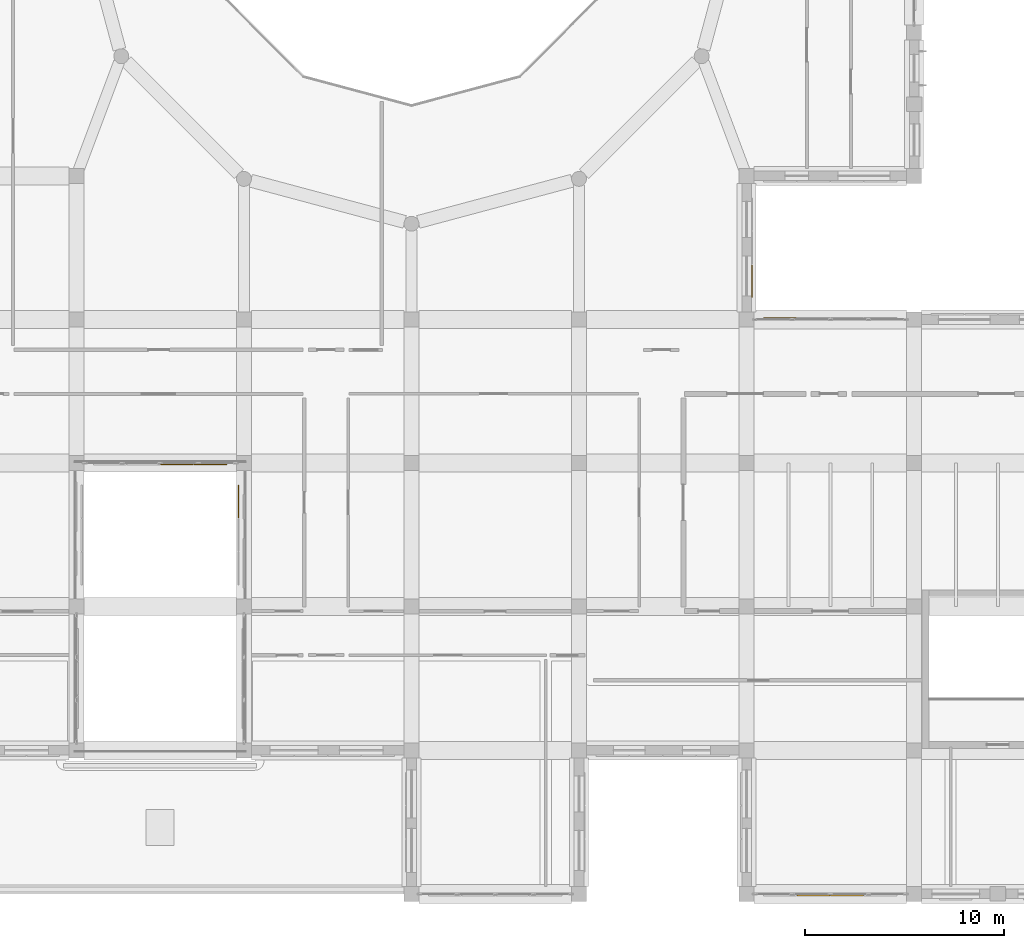
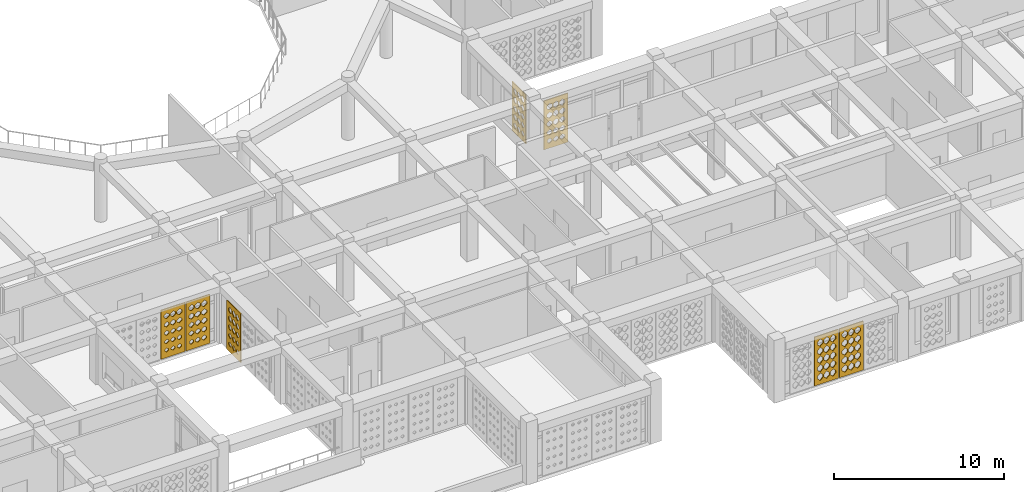
# One storey, part 86 of 111: 7 coverings.
"""IFC4 building model written with IfcOpenShell, lengths in metres."""

from ifc_helpers import new_model, si_unit, derived_unit, direction, frame, origin, place, context, subcontext, project, spatial, polyline, outline, extrude, material, layer, layer_set, type_object, element, save


model = new_model("IFC4")

# Units and contexts
model_context = context("Model", 3, precision=1e-05, world=origin(), true_north=direction((0.0, 1.0)))
body_context = subcontext(model_context, "Body", "Model", "MODEL_VIEW")
ifc_project = project(units=[si_unit("LENGTHUNIT", "METRE"), si_unit("AREAUNIT", "SQUARE_METRE"), si_unit("VOLUMEUNIT", "CUBIC_METRE"), si_unit("PLANEANGLEUNIT", "RADIAN"), si_unit("MASSUNIT", "GRAM", prefix="KILO"), derived_unit("THERMALTRANSMITTANCEUNIT", [(si_unit("POWERUNIT", "WATT"), 1), (si_unit("LENGTHUNIT", "METRE"), -2), (si_unit("THERMODYNAMICTEMPERATUREUNIT", "KELVIN"), -1)])], contexts=[model_context])

# Site, building, storey
site_placement = place(None, origin())
site = spatial("IfcSite", under=ifc_project, at=site_placement, CompositionType="ELEMENT")
building_placement = place(site_placement, origin())
building = spatial("IfcBuilding", under=site, at=building_placement, Name="Veybourne Emporium", CompositionType="ELEMENT")
storey_placement = place(building_placement, frame((0.0, 0.0, 9.89990234375)))
storey = spatial("IfcBuildingStorey", under=building, at=storey_placement, Name="L02", CompositionType="ELEMENT", Elevation=9.89990234375)

# Coverings
ifc_material = material(Name="Warm-White Perforated Aluminium Screen Alloy", Category="aluminium")
ifc_layer_1 = layer(ifc_material, 0.06005859375)
ifc_layer_set_1 = layer_set([ifc_layer_1], Name="Warm-White Perforated Aluminium Screen Alloy")
covering_type_1 = type_object("IfcCoveringType", Name="WaveScreen_SCR-01", PredefinedType="CLADDING", material=ifc_layer_set_1)
covering_1_placement = place(storey_placement, frame((65.52001953125, 21.5029296875, 1.815185546875), z_axis=(0.0, 1.0, 0.0), x_axis=(-1.0, 0.0, 0.0)))
element("IfcCovering", 1, at=covering_1_placement, inside=storey, type_object=covering_type_1, Name="L02 wave-perforated aluminium screen SCR-01 (33C.1)", PredefinedType="CLADDING", context=body_context, shape_type="SweptSolid", body=[
    extrude(outline(polyline([(-0.81982421875, -1.7548828125), (0.81982421875, -1.7548828125), (0.81982421875, 1.7548828125), (-0.81982421875, 1.7548828125), (-0.81982421875, -1.7548828125)]), holes=[polyline([(-0.433349609375, -1.049072265625), (-0.277099609375, -1.16357421875), (-0.277099609375, -1.29248046875), (-0.433349609375, -1.406982421875), (-0.589599609375, -1.29248046875), (-0.589599609375, -1.16357421875), (-0.433349609375, -1.049072265625)]), polyline([(-0.433349609375, -0.4208984375), (-0.265380859375, -0.54443359375), (-0.265380859375, -0.68359375), (-0.433349609375, -0.806884765625), (-0.601318359375, -0.68359375), (-0.601318359375, -0.54443359375), (-0.433349609375, -0.4208984375)]), polyline([(-0.433349609375, 0.20703125), (-0.25390625, 0.07470703125), (-0.25390625, -0.07470703125), (-0.433349609375, -0.20703125), (-0.61279296875, -0.07470703125), (-0.61279296875, 0.07470703125), (-0.433349609375, 0.20703125)]), polyline([(-0.433349609375, 0.834716796875), (-0.2470703125, 0.693603515625), (-0.2470703125, 0.534423828125), (-0.433349609375, 0.393310546875), (-0.61962890625, 0.534423828125), (-0.61962890625, 0.693603515625), (-0.433349609375, 0.834716796875)]), polyline([(-0.433349609375, 1.461669921875), (-0.2470703125, 1.31201171875), (-0.2470703125, 1.143798828125), (-0.433349609375, 0.994384765625), (-0.61962890625, 1.143798828125), (-0.61962890625, 1.31201171875), (-0.433349609375, 1.461669921875)]), polyline([(0.0, -1.055419921875), (0.151123046875, -1.166015625), (0.151123046875, -1.2900390625), (0.0, -1.400634765625), (-0.151123046875, -1.2900390625), (-0.151123046875, -1.166015625), (0.0, -1.055419921875)]), polyline([(0.0, -0.427490234375), (0.16259765625, -0.546875), (0.16259765625, -0.68115234375), (0.0, -0.800537109375), (-0.16259765625, -0.68115234375), (-0.16259765625, -0.546875), (0.0, -0.427490234375)]), polyline([(0.0, 0.20068359375), (0.17431640625, 0.072265625), (0.17431640625, -0.072265625), (0.0, -0.20068359375), (-0.17431640625, -0.072265625), (-0.17431640625, 0.072265625), (0.0, 0.20068359375)]), polyline([(0.0, 0.82861328125), (0.185546875, 0.69140625), (0.185546875, 0.53662109375), (0.0, 0.3994140625), (-0.185546875, 0.53662109375), (-0.185546875, 0.69140625), (0.0, 0.82861328125)]), polyline([(0.0, 1.455810546875), (0.186279296875, 1.31005859375), (0.186279296875, 1.14599609375), (0.0, 1.0), (-0.186279296875, 1.14599609375), (-0.186279296875, 1.31005859375), (0.0, 1.455810546875)]), polyline([(0.433349609375, -1.0615234375), (0.57958984375, -1.168212890625), (0.57958984375, -1.287841796875), (0.433349609375, -1.394287109375), (0.287109375, -1.287841796875), (0.287109375, -1.168212890625), (0.433349609375, -1.0615234375)]), polyline([(0.433349609375, -0.433837890625), (0.5908203125, -0.549072265625), (0.5908203125, -0.678955078125), (0.433349609375, -0.794189453125), (0.27587890625, -0.678955078125), (0.27587890625, -0.549072265625), (0.433349609375, -0.433837890625)]), polyline([(0.433349609375, 0.1943359375), (0.602294921875, 0.070068359375), (0.602294921875, -0.070068359375), (0.433349609375, -0.1943359375), (0.264404296875, -0.070068359375), (0.264404296875, 0.070068359375), (0.433349609375, 0.1943359375)]), polyline([(0.433349609375, 0.822509765625), (0.614013671875, 0.68896484375), (0.614013671875, 0.5390625), (0.433349609375, 0.405517578125), (0.252685546875, 0.5390625), (0.252685546875, 0.68896484375), (0.433349609375, 0.822509765625)]), polyline([(0.433349609375, 1.449951171875), (0.61962890625, 1.307861328125), (0.61962890625, 1.148193359375), (0.433349609375, 1.006103515625), (0.2470703125, 1.148193359375), (0.2470703125, 1.307861328125), (0.433349609375, 1.449951171875)])]), origin(), (0.0, 0.0, 1.0), 0.06005859375),
])
ifc_layer_2 = layer(ifc_material, 0.06005859375)
ifc_layer_set_2 = layer_set([ifc_layer_2], Name="Warm-White Perforated Aluminium Screen Alloy")
covering_type_2 = type_object("IfcCoveringType", Name="WaveScreen_SCR-02", PredefinedType="CLADDING", material=ifc_layer_set_2)
covering_2_placement = place(storey_placement, frame((63.840087890625, 21.5029296875, 1.815185546875), z_axis=(0.0, 1.0, 0.0), x_axis=(-1.0, 0.0, 0.0)))
element("IfcCovering", 2, at=covering_2_placement, inside=storey, type_object=covering_type_2, Name="L02 wave-perforated aluminium screen SCR-02 (33C.2)", PredefinedType="CLADDING", context=body_context, shape_type="SweptSolid", body=[
    extrude(outline(polyline([(-0.81982421875, -1.7548828125), (0.81982421875, -1.7548828125), (0.81982421875, 1.7548828125), (-0.81982421875, 1.7548828125), (-0.81982421875, -1.7548828125)]), holes=[polyline([(-0.433349609375, -1.07275390625), (-0.29638671875, -1.172119140625), (-0.29638671875, -1.283935546875), (-0.433349609375, -1.38330078125), (-0.5703125, -1.283935546875), (-0.5703125, -1.172119140625), (-0.433349609375, -1.07275390625)]), polyline([(-0.433349609375, -0.445556640625), (-0.285400390625, -0.553466796875), (-0.285400390625, -0.674560546875), (-0.433349609375, -0.782470703125), (-0.5810546875, -0.674560546875), (-0.5810546875, -0.553466796875), (-0.433349609375, -0.445556640625)]), polyline([(-0.433349609375, 0.182373046875), (-0.274169921875, 0.065673828125), (-0.274169921875, -0.065673828125), (-0.433349609375, -0.182373046875), (-0.592529296875, -0.065673828125), (-0.592529296875, 0.065673828125), (-0.433349609375, 0.182373046875)]), polyline([(-0.433349609375, 0.810302734375), (-0.2626953125, 0.684814453125), (-0.2626953125, 0.543212890625), (-0.433349609375, 0.41748046875), (-0.60400390625, 0.543212890625), (-0.60400390625, 0.684814453125), (-0.433349609375, 0.810302734375)]), polyline([(-0.433349609375, 1.4384765625), (-0.251220703125, 1.3037109375), (-0.251220703125, 1.152099609375), (-0.433349609375, 1.017578125), (-0.615478515625, 1.152099609375), (-0.615478515625, 1.3037109375), (-0.433349609375, 1.4384765625)]), polyline([(0.0, -1.078369140625), (0.13232421875, -1.174072265625), (0.13232421875, -1.281982421875), (0.0, -1.377685546875), (-0.13232421875, -1.281982421875), (-0.13232421875, -1.174072265625), (0.0, -1.078369140625)]), polyline([(0.0, -0.45166015625), (0.142822265625, -0.5556640625), (0.142822265625, -0.67236328125), (0.0, -0.7763671875), (-0.142822265625, -0.67236328125), (-0.142822265625, -0.5556640625), (0.0, -0.45166015625)]), polyline([(0.0, 0.17578125), (0.15380859375, 0.063232421875), (0.15380859375, -0.063232421875), (0.0, -0.17578125), (-0.15380859375, -0.063232421875), (-0.15380859375, 0.063232421875), (0.0, 0.17578125)]), polyline([(0.0, 0.803955078125), (0.16552734375, 0.682373046875), (0.16552734375, 0.545654296875), (0.0, 0.424072265625), (-0.16552734375, 0.545654296875), (-0.16552734375, 0.682373046875), (0.0, 0.803955078125)]), polyline([(0.0, 1.43212890625), (0.177001953125, 1.301513671875), (0.177001953125, 1.154541015625), (0.0, 1.02392578125), (-0.177001953125, 1.154541015625), (-0.177001953125, 1.301513671875), (0.0, 1.43212890625)]), polyline([(0.433349609375, -1.083740234375), (0.561279296875, -1.176025390625), (0.561279296875, -1.27978515625), (0.433349609375, -1.372314453125), (0.305419921875, -1.27978515625), (0.305419921875, -1.176025390625), (0.433349609375, -1.083740234375)]), polyline([(0.433349609375, -0.45751953125), (0.5712890625, -0.5576171875), (0.5712890625, -0.67041015625), (0.433349609375, -0.7705078125), (0.29541015625, -0.67041015625), (0.29541015625, -0.5576171875), (0.433349609375, -0.45751953125)]), polyline([(0.433349609375, 0.169677734375), (0.582275390625, 0.06103515625), (0.582275390625, -0.06103515625), (0.433349609375, -0.169677734375), (0.284423828125, -0.06103515625), (0.284423828125, 0.06103515625), (0.433349609375, 0.169677734375)]), polyline([(0.433349609375, 0.797607421875), (0.593505859375, 0.68017578125), (0.593505859375, 0.5478515625), (0.433349609375, 0.430419921875), (0.273193359375, 0.5478515625), (0.273193359375, 0.68017578125), (0.433349609375, 0.797607421875)]), polyline([(0.433349609375, 1.42578125), (0.60498046875, 1.29931640625), (0.60498046875, 1.15673828125), (0.433349609375, 1.0302734375), (0.261474609375, 1.15673828125), (0.261474609375, 1.29931640625), (0.433349609375, 1.42578125)])]), origin(), (0.0, 0.0, 1.0), 0.06005859375),
])
covering_3_placement = place(storey_placement, frame((92.697998046875, 30.719970703125, 1.815185546875), z_axis=(-1.0, 0.0, 0.0), x_axis=(0.0, -1.0, 0.0)))
element("IfcCovering", 3, at=covering_3_placement, inside=storey, type_object=covering_type_2, Name="L02 wave-perforated aluminium screen SCR-02 (44.3)", PredefinedType="CLADDING", context=body_context, shape_type="SweptSolid", body=[
    extrude(outline(polyline([(-0.81982421875, -1.7548828125), (0.81982421875, -1.7548828125), (0.81982421875, 1.7548828125), (-0.81982421875, 1.7548828125), (-0.81982421875, -1.7548828125)]), holes=[polyline([(-0.433349609375, -1.028076171875), (-0.259765625, -1.156005859375), (-0.259765625, -1.300048828125), (-0.433349609375, -1.427978515625), (-0.60693359375, -1.300048828125), (-0.60693359375, -1.156005859375), (-0.433349609375, -1.028076171875)]), polyline([(-0.433349609375, -0.39990234375), (-0.248291015625, -0.537109375), (-0.248291015625, -0.69091796875), (-0.433349609375, -0.827880859375), (-0.618408203125, -0.69091796875), (-0.618408203125, -0.537109375), (-0.433349609375, -0.39990234375)]), polyline([(-0.433349609375, 0.227294921875), (-0.2470703125, 0.081787109375), (-0.2470703125, -0.081787109375), (-0.433349609375, -0.227294921875), (-0.61962890625, -0.081787109375), (-0.61962890625, 0.081787109375), (-0.433349609375, 0.227294921875)]), polyline([(-0.433349609375, 0.853515625), (-0.2470703125, 0.7001953125), (-0.2470703125, 0.52783203125), (-0.433349609375, 0.37451171875), (-0.61962890625, 0.52783203125), (-0.61962890625, 0.7001953125), (-0.433349609375, 0.853515625)]), polyline([(-0.433349609375, 1.478515625), (-0.2470703125, 1.318115234375), (-0.2470703125, 1.1376953125), (-0.433349609375, 0.9775390625), (-0.61962890625, 1.1376953125), (-0.61962890625, 1.318115234375), (-0.433349609375, 1.478515625)]), polyline([(0.0, -1.034423828125), (0.16845703125, -1.158203125), (0.16845703125, -1.297607421875), (0.0, -1.421630859375), (-0.16845703125, -1.297607421875), (-0.16845703125, -1.158203125), (0.0, -1.034423828125)]), polyline([(0.0, -0.40625), (0.179931640625, -0.539306640625), (0.179931640625, -0.688720703125), (0.0, -0.82177734375), (-0.179931640625, -0.688720703125), (-0.179931640625, -0.539306640625), (0.0, -0.40625)]), polyline([(0.0, 0.221435546875), (0.186279296875, 0.07958984375), (0.186279296875, -0.07958984375), (0.0, -0.221435546875), (-0.186279296875, -0.07958984375), (-0.186279296875, 0.07958984375), (0.0, 0.221435546875)]), polyline([(0.0, 0.84814453125), (0.186279296875, 0.6982421875), (0.186279296875, 0.52978515625), (0.0, 0.3798828125), (-0.186279296875, 0.52978515625), (-0.186279296875, 0.6982421875), (0.0, 0.84814453125)]), polyline([(0.0, 1.4736328125), (0.186279296875, 1.31640625), (0.186279296875, 1.139404296875), (0.0, 0.982421875), (-0.186279296875, 1.139404296875), (-0.186279296875, 1.31640625), (0.0, 1.4736328125)]), polyline([(0.433349609375, -1.040771484375), (0.596435546875, -1.16064453125), (0.596435546875, -1.29541015625), (0.433349609375, -1.415283203125), (0.270263671875, -1.29541015625), (0.270263671875, -1.16064453125), (0.433349609375, -1.040771484375)]), polyline([(0.433349609375, -0.41259765625), (0.608154296875, -0.54150390625), (0.608154296875, -0.6865234375), (0.433349609375, -0.815185546875), (0.258544921875, -0.6865234375), (0.258544921875, -0.54150390625), (0.433349609375, -0.41259765625)]), polyline([(0.433349609375, 0.215087890625), (0.619384765625, 0.077392578125), (0.619384765625, -0.077392578125), (0.433349609375, -0.215087890625), (0.247314453125, -0.077392578125), (0.247314453125, 0.077392578125), (0.433349609375, 0.215087890625)]), polyline([(0.433349609375, 0.842529296875), (0.61962890625, 0.6962890625), (0.61962890625, 0.53173828125), (0.433349609375, 0.385498046875), (0.2470703125, 0.53173828125), (0.2470703125, 0.6962890625), (0.433349609375, 0.842529296875)]), polyline([(0.433349609375, 1.468505859375), (0.61962890625, 1.314697265625), (0.61962890625, 1.141357421875), (0.433349609375, 0.9873046875), (0.2470703125, 1.141357421875), (0.2470703125, 1.314697265625), (0.433349609375, 1.468505859375)])]), origin(), (0.0, 0.0, 1.0), 0.06005859375),
])
ifc_layer_3 = layer(ifc_material, 0.06005859375)
ifc_layer_set_3 = layer_set([ifc_layer_3], Name="Warm-White Perforated Aluminium Screen Alloy")
covering_type_3 = type_object("IfcCoveringType", Name="WaveScreen_SCR-03", PredefinedType="CLADDING", material=ifc_layer_set_3)
covering_4_placement = place(storey_placement, frame((66.90185546875, 19.679931640625, 1.815185546875), z_axis=(1.0, 0.0, 0.0), x_axis=(0.0, 1.0, 0.0)))
element("IfcCovering", 4, at=covering_4_placement, inside=storey, type_object=covering_type_3, Name="L02 wave-perforated aluminium screen SCR-03 (37.3)", PredefinedType="CLADDING", context=body_context, shape_type="SweptSolid", body=[
    extrude(outline(polyline([(-0.81982421875, -1.7548828125), (0.81982421875, -1.7548828125), (0.81982421875, 1.7548828125), (-0.81982421875, 1.7548828125), (-0.81982421875, -1.7548828125)]), holes=[polyline([(-0.433349609375, -1.067626953125), (-0.292236328125, -1.17041015625), (-0.292236328125, -1.28564453125), (-0.433349609375, -1.38818359375), (-0.574462890625, -1.28564453125), (-0.574462890625, -1.17041015625), (-0.433349609375, -1.067626953125)]), polyline([(-0.433349609375, -0.440185546875), (-0.28125, -0.551513671875), (-0.28125, -0.676513671875), (-0.433349609375, -0.787841796875), (-0.58544921875, -0.676513671875), (-0.58544921875, -0.551513671875), (-0.433349609375, -0.440185546875)]), polyline([(-0.433349609375, 0.187744140625), (-0.269775390625, 0.067626953125), (-0.269775390625, -0.067626953125), (-0.433349609375, -0.187744140625), (-0.596923828125, -0.067626953125), (-0.596923828125, 0.067626953125), (-0.433349609375, 0.187744140625)]), polyline([(-0.433349609375, 0.81591796875), (-0.258056640625, 0.686767578125), (-0.258056640625, 0.541259765625), (-0.433349609375, 0.412109375), (-0.608642578125, 0.541259765625), (-0.608642578125, 0.686767578125), (-0.433349609375, 0.81591796875)]), polyline([(-0.433349609375, 1.44384765625), (-0.2470703125, 1.3056640625), (-0.2470703125, 1.150390625), (-0.433349609375, 1.01220703125), (-0.61962890625, 1.150390625), (-0.61962890625, 1.3056640625), (-0.433349609375, 1.44384765625)]), polyline([(0.0, -1.061767578125), (0.14599609375, -1.168212890625), (0.14599609375, -1.287841796875), (0.0, -1.394287109375), (-0.14599609375, -1.287841796875), (-0.14599609375, -1.168212890625), (0.0, -1.061767578125)]), polyline([(0.0, -0.433837890625), (0.1572265625, -0.54931640625), (0.1572265625, -0.6787109375), (0.0, -0.794189453125), (-0.1572265625, -0.6787109375), (-0.1572265625, -0.54931640625), (0.0, -0.433837890625)]), polyline([(0.0, 0.194091796875), (0.1689453125, 0.06982421875), (0.1689453125, -0.06982421875), (0.0, -0.194091796875), (-0.1689453125, -0.06982421875), (-0.1689453125, 0.06982421875), (0.0, 0.194091796875)]), polyline([(0.0, 0.822265625), (0.180419921875, 0.68896484375), (0.180419921875, 0.5390625), (0.0, 0.40576171875), (-0.180419921875, 0.5390625), (-0.180419921875, 0.68896484375), (0.0, 0.822265625)]), polyline([(0.0, 1.449951171875), (0.186279296875, 1.307861328125), (0.186279296875, 1.148193359375), (0.0, 1.006103515625), (-0.186279296875, 1.148193359375), (-0.186279296875, 1.307861328125), (0.0, 1.449951171875)]), polyline([(0.433349609375, -1.055419921875), (0.58447265625, -1.166015625), (0.58447265625, -1.2900390625), (0.433349609375, -1.400390625), (0.2822265625, -1.2900390625), (0.2822265625, -1.166015625), (0.433349609375, -1.055419921875)]), polyline([(0.433349609375, -0.427490234375), (0.595947265625, -0.546875), (0.595947265625, -0.68115234375), (0.433349609375, -0.800537109375), (0.270751953125, -0.68115234375), (0.270751953125, -0.546875), (0.433349609375, -0.427490234375)]), polyline([(0.433349609375, 0.20068359375), (0.607421875, 0.072265625), (0.607421875, -0.072265625), (0.433349609375, -0.20068359375), (0.25927734375, -0.072265625), (0.25927734375, 0.072265625), (0.433349609375, 0.20068359375)]), polyline([(0.433349609375, 0.82861328125), (0.618896484375, 0.691162109375), (0.618896484375, 0.536865234375), (0.433349609375, 0.3994140625), (0.247802734375, 0.536865234375), (0.247802734375, 0.691162109375), (0.433349609375, 0.82861328125)]), polyline([(0.433349609375, 1.455810546875), (0.61962890625, 1.31005859375), (0.61962890625, 1.14599609375), (0.433349609375, 1.000244140625), (0.2470703125, 1.14599609375), (0.2470703125, 1.31005859375), (0.433349609375, 1.455810546875)])]), origin(), (0.0, 0.0, 1.0), 0.06005859375),
])
covering_5_placement = place(storey_placement, frame((97.43994140625, -0.096923828125, 1.815185546875), z_axis=(0.0, 1.0, 0.0), x_axis=(-1.0, 0.0, 0.0)))
element("IfcCovering", 5, at=covering_5_placement, inside=storey, type_object=covering_type_3, Name="L02 wave-perforated aluminium screen SCR-03 (46C.2)", PredefinedType="CLADDING", context=body_context, shape_type="SweptSolid", body=[
    extrude(outline(polyline([(-0.81982421875, -1.7548828125), (0.81982421875, -1.7548828125), (0.81982421875, 1.7548828125), (-0.81982421875, 1.7548828125), (-0.81982421875, -1.7548828125)]), holes=[polyline([(-0.433349609375, -0.964111328125), (-0.2470703125, -1.133056640625), (-0.2470703125, -1.322998046875), (-0.433349609375, -1.491943359375), (-0.61962890625, -1.322998046875), (-0.61962890625, -1.133056640625), (-0.433349609375, -0.964111328125)]), polyline([(-0.433349609375, -0.35009765625), (-0.2470703125, -0.51904296875), (-0.2470703125, -0.708984375), (-0.433349609375, -0.8779296875), (-0.61962890625, -0.708984375), (-0.61962890625, -0.51904296875), (-0.433349609375, -0.35009765625)]), polyline([(-0.433349609375, 0.263916015625), (-0.2470703125, 0.094970703125), (-0.2470703125, -0.094970703125), (-0.433349609375, -0.263916015625), (-0.61962890625, -0.094970703125), (-0.61962890625, 0.094970703125), (-0.433349609375, 0.263916015625)]), polyline([(-0.433349609375, 0.872802734375), (-0.2470703125, 0.707275390625), (-0.2470703125, 0.520751953125), (-0.433349609375, 0.355224609375), (-0.61962890625, 0.520751953125), (-0.61962890625, 0.707275390625), (-0.433349609375, 0.872802734375)]), polyline([(-0.433349609375, 1.4775390625), (-0.2470703125, 1.31787109375), (-0.2470703125, 1.13818359375), (-0.433349609375, 0.978515625), (-0.61962890625, 1.13818359375), (-0.61962890625, 1.31787109375), (-0.433349609375, 1.4775390625)]), polyline([(0.0, -0.964111328125), (0.186279296875, -1.133056640625), (0.186279296875, -1.322998046875), (0.0, -1.491943359375), (-0.186279296875, -1.322998046875), (-0.186279296875, -1.133056640625), (0.0, -0.964111328125)]), polyline([(0.0, -0.35009765625), (0.186279296875, -0.51904296875), (0.186279296875, -0.708984375), (0.0, -0.8779296875), (-0.186279296875, -0.708984375), (-0.186279296875, -0.51904296875), (0.0, -0.35009765625)]), polyline([(0.0, 0.263916015625), (0.186279296875, 0.094970703125), (0.186279296875, -0.094970703125), (0.0, -0.263916015625), (-0.186279296875, -0.094970703125), (-0.186279296875, 0.094970703125), (0.0, 0.263916015625)]), polyline([(0.0, 0.87646484375), (0.186279296875, 0.70849609375), (0.186279296875, 0.51953125), (0.0, 0.3515625), (-0.186279296875, 0.51953125), (-0.186279296875, 0.70849609375), (0.0, 0.87646484375)]), polyline([(0.0, 1.48193359375), (0.186279296875, 1.3193359375), (0.186279296875, 1.13671875), (0.0, 0.97412109375), (-0.186279296875, 1.13671875), (-0.186279296875, 1.3193359375), (0.0, 1.48193359375)]), polyline([(0.433349609375, -0.964111328125), (0.61962890625, -1.133056640625), (0.61962890625, -1.322998046875), (0.433349609375, -1.491943359375), (0.2470703125, -1.322998046875), (0.2470703125, -1.133056640625), (0.433349609375, -0.964111328125)]), polyline([(0.433349609375, -0.35009765625), (0.61962890625, -0.51904296875), (0.61962890625, -0.708984375), (0.433349609375, -0.8779296875), (0.2470703125, -0.708984375), (0.2470703125, -0.51904296875), (0.433349609375, -0.35009765625)]), polyline([(0.433349609375, 0.263916015625), (0.61962890625, 0.094970703125), (0.61962890625, -0.094970703125), (0.433349609375, -0.263916015625), (0.2470703125, -0.094970703125), (0.2470703125, 0.094970703125), (0.433349609375, 0.263916015625)]), polyline([(0.433349609375, 0.8779296875), (0.61962890625, 0.708984375), (0.61962890625, 0.51904296875), (0.433349609375, 0.35009765625), (0.2470703125, 0.51904296875), (0.2470703125, 0.708984375), (0.433349609375, 0.8779296875)]), polyline([(0.433349609375, 1.486083984375), (0.61962890625, 1.32080078125), (0.61962890625, 1.135009765625), (0.433349609375, 0.969970703125), (0.2470703125, 1.135009765625), (0.2470703125, 1.32080078125), (0.433349609375, 1.486083984375)])]), origin(), (0.0, 0.0, 1.0), 0.06005859375),
])
ifc_layer_4 = layer(ifc_material, 0.06005859375)
ifc_layer_set_4 = layer_set([ifc_layer_4], Name="Warm-White Perforated Aluminium Screen Alloy")
covering_type_4 = type_object("IfcCoveringType", Name="WaveScreen_SCR-04", PredefinedType="CLADDING", material=ifc_layer_set_4)
covering_6_placement = place(storey_placement, frame((95.760009765625, -0.096923828125, 1.815185546875), z_axis=(0.0, 1.0, 0.0), x_axis=(-1.0, 0.0, 0.0)))
element("IfcCovering", 6, at=covering_6_placement, inside=storey, type_object=covering_type_4, Name="L02 wave-perforated aluminium screen SCR-04 (46C.3)", PredefinedType="CLADDING", context=body_context, shape_type="SweptSolid", body=[
    extrude(outline(polyline([(-0.81982421875, -1.7548828125), (0.81982421875, -1.7548828125), (0.81982421875, 1.7548828125), (-0.81982421875, 1.7548828125), (-0.81982421875, -1.7548828125)]), holes=[polyline([(-0.433349609375, -0.964111328125), (-0.2470703125, -1.133056640625), (-0.2470703125, -1.322998046875), (-0.433349609375, -1.491943359375), (-0.61962890625, -1.322998046875), (-0.61962890625, -1.133056640625), (-0.433349609375, -0.964111328125)]), polyline([(-0.433349609375, -0.35009765625), (-0.2470703125, -0.51904296875), (-0.2470703125, -0.708984375), (-0.433349609375, -0.8779296875), (-0.61962890625, -0.708984375), (-0.61962890625, -0.51904296875), (-0.433349609375, -0.35009765625)]), polyline([(-0.433349609375, 0.263916015625), (-0.2470703125, 0.094970703125), (-0.2470703125, -0.094970703125), (-0.433349609375, -0.263916015625), (-0.61962890625, -0.094970703125), (-0.61962890625, 0.094970703125), (-0.433349609375, 0.263916015625)]), polyline([(-0.433349609375, 0.8779296875), (-0.2470703125, 0.708984375), (-0.2470703125, 0.51904296875), (-0.433349609375, 0.35009765625), (-0.61962890625, 0.51904296875), (-0.61962890625, 0.708984375), (-0.433349609375, 0.8779296875)]), polyline([(-0.433349609375, 1.491943359375), (-0.2470703125, 1.322998046875), (-0.2470703125, 1.133056640625), (-0.433349609375, 0.964111328125), (-0.61962890625, 1.133056640625), (-0.61962890625, 1.322998046875), (-0.433349609375, 1.491943359375)]), polyline([(0.0, -0.964111328125), (0.186279296875, -1.133056640625), (0.186279296875, -1.322998046875), (0.0, -1.491943359375), (-0.186279296875, -1.322998046875), (-0.186279296875, -1.133056640625), (0.0, -0.964111328125)]), polyline([(0.0, -0.35009765625), (0.186279296875, -0.51904296875), (0.186279296875, -0.708984375), (0.0, -0.8779296875), (-0.186279296875, -0.708984375), (-0.186279296875, -0.51904296875), (0.0, -0.35009765625)]), polyline([(0.0, 0.263916015625), (0.186279296875, 0.094970703125), (0.186279296875, -0.094970703125), (0.0, -0.263916015625), (-0.186279296875, -0.094970703125), (-0.186279296875, 0.094970703125), (0.0, 0.263916015625)]), polyline([(0.0, 0.8779296875), (0.186279296875, 0.708984375), (0.186279296875, 0.51904296875), (0.0, 0.35009765625), (-0.186279296875, 0.51904296875), (-0.186279296875, 0.708984375), (0.0, 0.8779296875)]), polyline([(0.0, 1.491943359375), (0.186279296875, 1.322998046875), (0.186279296875, 1.133056640625), (0.0, 0.964111328125), (-0.186279296875, 1.133056640625), (-0.186279296875, 1.322998046875), (0.0, 1.491943359375)]), polyline([(0.433349609375, -0.964111328125), (0.61962890625, -1.133056640625), (0.61962890625, -1.322998046875), (0.433349609375, -1.491943359375), (0.2470703125, -1.322998046875), (0.2470703125, -1.133056640625), (0.433349609375, -0.964111328125)]), polyline([(0.433349609375, -0.35009765625), (0.61962890625, -0.51904296875), (0.61962890625, -0.708984375), (0.433349609375, -0.8779296875), (0.2470703125, -0.708984375), (0.2470703125, -0.51904296875), (0.433349609375, -0.35009765625)]), polyline([(0.433349609375, 0.263916015625), (0.61962890625, 0.094970703125), (0.61962890625, -0.094970703125), (0.433349609375, -0.263916015625), (0.2470703125, -0.094970703125), (0.2470703125, 0.094970703125), (0.433349609375, 0.263916015625)]), polyline([(0.433349609375, 0.8779296875), (0.61962890625, 0.708984375), (0.61962890625, 0.51904296875), (0.433349609375, 0.35009765625), (0.2470703125, 0.51904296875), (0.2470703125, 0.708984375), (0.433349609375, 0.8779296875)]), polyline([(0.433349609375, 1.491943359375), (0.61962890625, 1.322998046875), (0.61962890625, 1.133056640625), (0.433349609375, 0.964111328125), (0.2470703125, 1.133056640625), (0.2470703125, 1.322998046875), (0.433349609375, 1.491943359375)])]), origin(), (0.0, 0.0, 1.0), 0.06005859375),
])
covering_7_placement = place(storey_placement, frame((94.080078125, 28.89306640625, 1.815185546875), z_axis=(0.0, -1.0, 0.0), x_axis=(1.0, 0.0, 0.0)))
element("IfcCovering", 7, at=covering_7_placement, inside=storey, type_object=covering_type_4, Name="L02 wave-perforated aluminium screen SCR-04 (48C.1)", PredefinedType="CLADDING", context=body_context, shape_type="SweptSolid", body=[
    extrude(outline(polyline([(-0.81982421875, -1.7548828125), (0.81982421875, -1.7548828125), (0.81982421875, 1.7548828125), (-0.81982421875, 1.7548828125), (-0.81982421875, -1.7548828125)]), holes=[polyline([(-0.433349609375, -1.04736328125), (-0.275634765625, -1.1630859375), (-0.275634765625, -1.29296875), (-0.433349609375, -1.40869140625), (-0.591064453125, -1.29296875), (-0.591064453125, -1.1630859375), (-0.433349609375, -1.04736328125)]), polyline([(-0.433349609375, -0.419189453125), (-0.263916015625, -0.5439453125), (-0.263916015625, -0.68408203125), (-0.433349609375, -0.808837890625), (-0.602783203125, -0.68408203125), (-0.602783203125, -0.5439453125), (-0.433349609375, -0.419189453125)]), polyline([(-0.433349609375, 0.208740234375), (-0.25244140625, 0.0751953125), (-0.25244140625, -0.0751953125), (-0.433349609375, -0.208740234375), (-0.6142578125, -0.0751953125), (-0.6142578125, 0.0751953125), (-0.433349609375, 0.208740234375)]), polyline([(-0.433349609375, 0.83642578125), (-0.2470703125, 0.694091796875), (-0.2470703125, 0.533935546875), (-0.433349609375, 0.3916015625), (-0.61962890625, 0.533935546875), (-0.61962890625, 0.694091796875), (-0.433349609375, 0.83642578125)]), polyline([(-0.433349609375, 1.463134765625), (-0.2470703125, 1.3125), (-0.2470703125, 1.143310546875), (-0.433349609375, 0.992919921875), (-0.61962890625, 1.143310546875), (-0.61962890625, 1.3125), (-0.433349609375, 1.463134765625)]), polyline([(0.0, -1.041015625), (0.1630859375, -1.16064453125), (0.1630859375, -1.29541015625), (0.0, -1.4150390625), (-0.1630859375, -1.29541015625), (-0.1630859375, -1.16064453125), (0.0, -1.041015625)]), polyline([(0.0, -0.412841796875), (0.174560546875, -0.54150390625), (0.174560546875, -0.686279296875), (0.0, -0.815185546875), (-0.174560546875, -0.686279296875), (-0.174560546875, -0.54150390625), (0.0, -0.412841796875)]), polyline([(0.0, 0.215087890625), (0.18603515625, 0.077392578125), (0.18603515625, -0.077392578125), (0.0, -0.215087890625), (-0.18603515625, -0.077392578125), (-0.18603515625, 0.077392578125), (0.0, 0.215087890625)]), polyline([(0.0, 0.84228515625), (0.186279296875, 0.6962890625), (0.186279296875, 0.53173828125), (0.0, 0.3857421875), (-0.186279296875, 0.53173828125), (-0.186279296875, 0.6962890625), (0.0, 0.84228515625)]), polyline([(0.0, 1.468505859375), (0.186279296875, 1.314697265625), (0.186279296875, 1.141357421875), (0.0, 0.987548828125), (-0.186279296875, 1.141357421875), (-0.186279296875, 1.314697265625), (0.0, 1.468505859375)]), polyline([(0.433349609375, -1.03466796875), (0.6015625, -1.158447265625), (0.6015625, -1.297607421875), (0.433349609375, -1.42138671875), (0.26513671875, -1.297607421875), (0.26513671875, -1.158447265625), (0.433349609375, -1.03466796875)]), polyline([(0.433349609375, -0.406494140625), (0.613037109375, -0.539306640625), (0.613037109375, -0.688720703125), (0.433349609375, -0.821533203125), (0.25341796875, -0.688720703125), (0.25341796875, -0.539306640625), (0.433349609375, -0.406494140625)]), polyline([(0.433349609375, 0.22119140625), (0.61962890625, 0.07958984375), (0.61962890625, -0.07958984375), (0.433349609375, -0.22119140625), (0.2470703125, -0.07958984375), (0.2470703125, 0.07958984375), (0.433349609375, 0.22119140625)]), polyline([(0.433349609375, 0.847900390625), (0.61962890625, 0.6982421875), (0.61962890625, 0.52978515625), (0.433349609375, 0.3798828125), (0.2470703125, 0.52978515625), (0.2470703125, 0.6982421875), (0.433349609375, 0.847900390625)]), polyline([(0.433349609375, 1.4736328125), (0.61962890625, 1.31640625), (0.61962890625, 1.1396484375), (0.433349609375, 0.982421875), (0.2470703125, 1.1396484375), (0.2470703125, 1.31640625), (0.433349609375, 1.4736328125)])]), origin(), (0.0, 0.0, 1.0), 0.06005859375),
])

save(model, "model.ifc")
